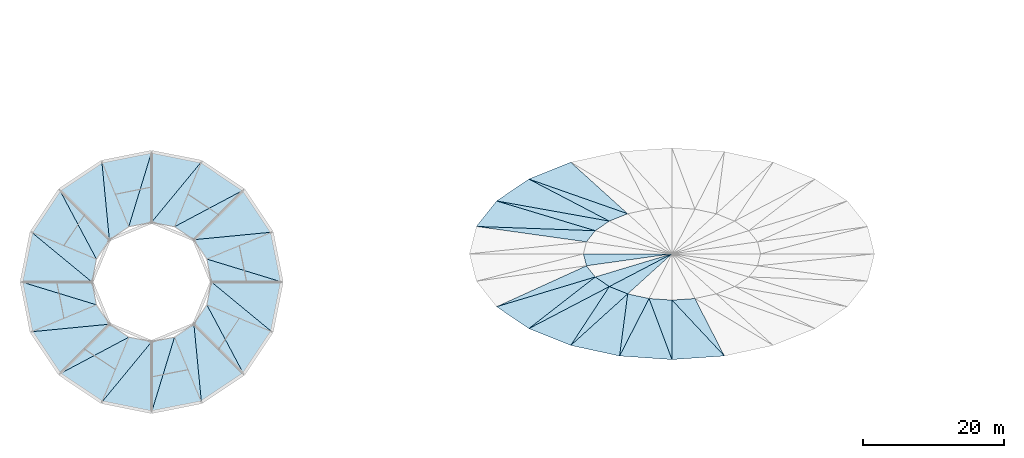
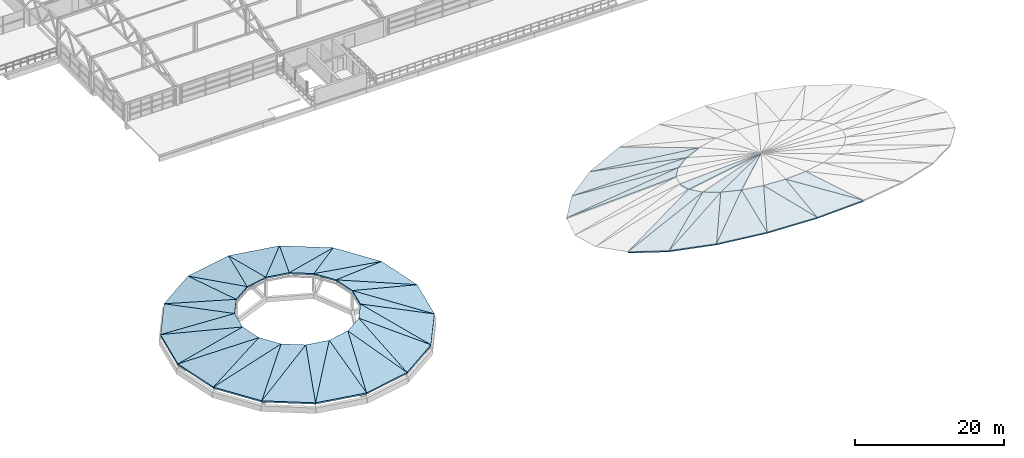
# One storey, part 43 of 50: 52 roofs.
"""IFC4 building model written with IfcOpenShell, lengths in metres."""

from ifc_helpers import new_model, si_unit, derived_unit, direction, frame, origin, place, context, subcontext, project, spatial, polygons, material, layer, layer_set, type_object, element, save


model = new_model("IFC4")

# Units and contexts
model_context = context("Model", 3, precision=1e-05, world=origin(), true_north=direction((0.0, 1.0)))
body_context = subcontext(model_context, "Body", "Model", "MODEL_VIEW")
ifc_project = project(units=[si_unit("LENGTHUNIT", "METRE"), si_unit("AREAUNIT", "SQUARE_METRE"), si_unit("VOLUMEUNIT", "CUBIC_METRE"), si_unit("PLANEANGLEUNIT", "RADIAN"), si_unit("MASSUNIT", "GRAM", prefix="KILO"), si_unit("THERMODYNAMICTEMPERATUREUNIT", "KELVIN"), derived_unit("THERMALTRANSMITTANCEUNIT", [(si_unit("POWERUNIT", "WATT"), 1), (si_unit("AREAUNIT", "SQUARE_METRE"), -1), (si_unit("THERMODYNAMICTEMPERATUREUNIT", "KELVIN"), -1)])], contexts=[model_context])

# Site, building, storey
site_placement = place(None, origin())
site = spatial("IfcSite", under=ifc_project, at=site_placement, CompositionType="ELEMENT")
building_placement = place(site_placement, origin())
building = spatial("IfcBuilding", under=site, at=building_placement, Name="Haiyu Intermodal Mobility Hub", CompositionType="ELEMENT")
storey_placement = place(building_placement, frame((0.0, 0.0, 25.10009765625)))
storey = spatial("IfcBuildingStorey", under=building, at=storey_placement, Name="L06", CompositionType="ELEMENT", Elevation=25.10009765625)

# Roofs
ifc_material = material(Name="Steel Q355C", Category="steel")
ifc_layer_1 = layer(ifc_material, 0.219970703125)
ifc_layer_set_1 = layer_set([ifc_layer_1], Name="Steel Q355C")
roof_type_1 = type_object("IfcRoofType", Name="ROF-RF01", PredefinedType="FREEFORM", material=ifc_layer_set_1)
roof_1_placement = place(storey_placement, origin())
element("IfcRoof", 1, at=roof_1_placement, inside=storey, type_object=roof_type_1, Name="Saddle Cable-Net Roof Panel 013", PredefinedType="FREEFORM", context=body_context, shape_type="Tessellation", body=[
    polygons([(108.0, 64.0, -0.150146484375), (95.39990234375, 64.0, -0.7890625), (95.8291015625, 62.297119140625, -0.76416015625), (108.0, 64.0, 0.0498046875), (95.39990234375, 64.0, -0.589111328125), (95.8291015625, 62.297119140625, -0.564208984375)], [[[3, 2, 1]], [[4, 5, 6]], [[1, 2, 5, 4]], [[2, 3, 6, 5]], [[3, 1, 4, 6]]], closed=True),
])
roof_2_placement = place(storey_placement, origin())
element("IfcRoof", 2, at=roof_2_placement, inside=storey, type_object=roof_type_1, Name="Saddle Cable-Net Roof Panel 015", PredefinedType="FREEFORM", context=body_context, shape_type="Tessellation", body=[
    polygons([(108.0, 64.0, -0.150146484375), (97.087890625, 60.7099609375, -0.695068359375), (99.090087890625, 59.346923828125, -0.60107421875), (108.0, 64.0, 0.0498046875), (97.087890625, 60.7099609375, -0.4951171875), (99.090087890625, 59.346923828125, -0.401123046875)], [[[3, 2, 1]], [[4, 5, 6]], [[1, 2, 5, 4]], [[2, 3, 6, 5]], [[3, 1, 4, 6]]], closed=True),
])
roof_3_placement = place(storey_placement, origin())
element("IfcRoof", 3, at=roof_3_placement, inside=storey, type_object=roof_type_1, Name="Saddle Cable-Net Roof Panel 016", PredefinedType="FREEFORM", context=body_context, shape_type="Tessellation", body=[
    polygons([(108.0, 64.0, -0.150146484375), (99.090087890625, 59.346923828125, -0.60107421875), (101.699951171875, 58.302001953125, -0.507080078125), (108.0, 64.0, 0.0498046875), (99.090087890625, 59.346923828125, -0.401123046875), (101.699951171875, 58.302001953125, -0.30712890625)], [[[3, 2, 1]], [[4, 5, 6]], [[1, 2, 5, 4]], [[2, 3, 6, 5]], [[3, 1, 4, 6]]], closed=True),
])
roof_4_placement = place(storey_placement, origin())
element("IfcRoof", 4, at=roof_4_placement, inside=storey, type_object=roof_type_1, Name="Saddle Cable-Net Roof Panel 041", PredefinedType="FREEFORM", context=body_context, shape_type="Tessellation", body=[
    polygons([(101.699951171875, 69.697998046875, -0.507080078125), (93.60009765625, 77.02490234375, -2.01416015625), (87.635009765625, 74.635009765625, -2.505126953125), (101.699951171875, 69.697998046875, -0.30712890625), (93.60009765625, 77.02490234375, -1.814208984375), (87.635009765625, 74.635009765625, -2.30517578125)], [[[3, 2, 1]], [[4, 5, 6]], [[1, 2, 5, 4]], [[2, 3, 6, 5]], [[3, 1, 4, 6]]], closed=True),
])
roof_5_placement = place(storey_placement, origin())
element("IfcRoof", 5, at=roof_5_placement, inside=storey, type_object=roof_type_1, Name="Saddle Cable-Net Roof Panel 042", PredefinedType="FREEFORM", context=body_context, shape_type="Tessellation", body=[
    polygons([(101.699951171875, 69.697998046875, -0.507080078125), (87.635009765625, 74.635009765625, -2.505126953125), (99.090087890625, 68.653076171875, -0.60107421875), (101.699951171875, 69.697998046875, -0.30712890625), (87.635009765625, 74.635009765625, -2.30517578125), (99.090087890625, 68.653076171875, -0.401123046875)], [[[3, 2, 1]], [[4, 5, 6]], [[1, 2, 5, 4]], [[2, 3, 6, 5]], [[3, 1, 4, 6]]], closed=True),
])
roof_6_placement = place(storey_placement, origin())
element("IfcRoof", 6, at=roof_6_placement, inside=storey, type_object=roof_type_1, Name="Saddle Cable-Net Roof Panel 043", PredefinedType="FREEFORM", context=body_context, shape_type="Tessellation", body=[
    polygons([(99.090087890625, 68.653076171875, -0.60107421875), (87.635009765625, 74.635009765625, -2.505126953125), (83.05810546875, 71.52001953125, -2.9970703125), (99.090087890625, 68.653076171875, -0.401123046875), (87.635009765625, 74.635009765625, -2.30517578125), (83.05810546875, 71.52001953125, -2.797119140625)], [[[3, 2, 1]], [[4, 5, 6]], [[1, 2, 5, 4]], [[2, 3, 6, 5]], [[3, 1, 4, 6]]], closed=True),
])
roof_7_placement = place(storey_placement, origin())
element("IfcRoof", 7, at=roof_7_placement, inside=storey, type_object=roof_type_1, Name="Saddle Cable-Net Roof Panel 044", PredefinedType="FREEFORM", context=body_context, shape_type="Tessellation", body=[
    polygons([(99.090087890625, 68.653076171875, -0.60107421875), (83.05810546875, 71.52001953125, -2.9970703125), (97.087890625, 67.2900390625, -0.695068359375), (99.090087890625, 68.653076171875, -0.401123046875), (83.05810546875, 71.52001953125, -2.797119140625), (97.087890625, 67.2900390625, -0.4951171875)], [[[3, 2, 1]], [[4, 5, 6]], [[1, 2, 5, 4]], [[2, 3, 6, 5]], [[3, 1, 4, 6]]], closed=True),
])
roof_8_placement = place(storey_placement, origin())
element("IfcRoof", 8, at=roof_8_placement, inside=storey, type_object=roof_type_1, Name="Saddle Cable-Net Roof Panel 045", PredefinedType="FREEFORM", context=body_context, shape_type="Tessellation", body=[
    polygons([(97.087890625, 67.2900390625, -0.695068359375), (83.05810546875, 71.52001953125, -2.9970703125), (80.180908203125, 67.89306640625, -3.357177734375), (97.087890625, 67.2900390625, -0.4951171875), (83.05810546875, 71.52001953125, -2.797119140625), (80.180908203125, 67.89306640625, -3.156982421875)], [[[3, 2, 1]], [[4, 5, 6]], [[1, 2, 5, 4]], [[2, 3, 6, 5]], [[3, 1, 4, 6]]], closed=True),
])
roof_9_placement = place(storey_placement, origin())
element("IfcRoof", 9, at=roof_9_placement, inside=storey, type_object=roof_type_1, Name="Saddle Cable-Net Roof Panel 046", PredefinedType="FREEFORM", context=body_context, shape_type="Tessellation", body=[
    polygons([(97.087890625, 67.2900390625, -0.695068359375), (80.180908203125, 67.89306640625, -3.357177734375), (95.8291015625, 65.702880859375, -0.76416015625), (97.087890625, 67.2900390625, -0.4951171875), (80.180908203125, 67.89306640625, -3.156982421875), (95.8291015625, 65.702880859375, -0.564208984375)], [[[3, 2, 1]], [[4, 5, 6]], [[1, 2, 5, 4]], [[2, 3, 6, 5]], [[3, 1, 4, 6]]], closed=True),
])
roof_10_placement = place(storey_placement, origin())
element("IfcRoof", 10, at=roof_10_placement, inside=storey, type_object=roof_type_1, Name="Saddle Cable-Net Roof Panel 052", PredefinedType="FREEFORM", context=body_context, shape_type="Tessellation", body=[
    polygons([(95.8291015625, 62.297119140625, -0.76416015625), (83.05810546875, 56.47998046875, -2.9970703125), (97.087890625, 60.7099609375, -0.695068359375), (95.8291015625, 62.297119140625, -0.564208984375), (83.05810546875, 56.47998046875, -2.797119140625), (97.087890625, 60.7099609375, -0.4951171875)], [[[3, 2, 1]], [[4, 5, 6]], [[1, 2, 5, 4]], [[2, 3, 6, 5]], [[3, 1, 4, 6]]], closed=True),
])
roof_11_placement = place(storey_placement, origin())
element("IfcRoof", 11, at=roof_11_placement, inside=storey, type_object=roof_type_1, Name="Saddle Cable-Net Roof Panel 053", PredefinedType="FREEFORM", context=body_context, shape_type="Tessellation", body=[
    polygons([(97.087890625, 60.7099609375, -0.695068359375), (83.05810546875, 56.47998046875, -2.9970703125), (87.635009765625, 53.364990234375, -2.505126953125), (97.087890625, 60.7099609375, -0.4951171875), (83.05810546875, 56.47998046875, -2.797119140625), (87.635009765625, 53.364990234375, -2.30517578125)], [[[3, 2, 1]], [[4, 5, 6]], [[1, 2, 5, 4]], [[2, 3, 6, 5]], [[3, 1, 4, 6]]], closed=True),
])
roof_12_placement = place(storey_placement, origin())
element("IfcRoof", 12, at=roof_12_placement, inside=storey, type_object=roof_type_1, Name="Saddle Cable-Net Roof Panel 054", PredefinedType="FREEFORM", context=body_context, shape_type="Tessellation", body=[
    polygons([(97.087890625, 60.7099609375, -0.695068359375), (87.635009765625, 53.364990234375, -2.505126953125), (99.090087890625, 59.346923828125, -0.60107421875), (97.087890625, 60.7099609375, -0.4951171875), (87.635009765625, 53.364990234375, -2.30517578125), (99.090087890625, 59.346923828125, -0.401123046875)], [[[3, 2, 1]], [[4, 5, 6]], [[1, 2, 5, 4]], [[2, 3, 6, 5]], [[3, 1, 4, 6]]], closed=True),
])
roof_13_placement = place(storey_placement, origin())
element("IfcRoof", 13, at=roof_13_placement, inside=storey, type_object=roof_type_1, Name="Saddle Cable-Net Roof Panel 055", PredefinedType="FREEFORM", context=body_context, shape_type="Tessellation", body=[
    polygons([(99.090087890625, 59.346923828125, -0.60107421875), (87.635009765625, 53.364990234375, -2.505126953125), (93.60009765625, 50.97509765625, -2.01416015625), (99.090087890625, 59.346923828125, -0.401123046875), (87.635009765625, 53.364990234375, -2.30517578125), (93.60009765625, 50.97509765625, -1.814208984375)], [[[3, 2, 1]], [[4, 5, 6]], [[1, 2, 5, 4]], [[2, 3, 6, 5]], [[3, 1, 4, 6]]], closed=True),
])
roof_14_placement = place(storey_placement, origin())
element("IfcRoof", 14, at=roof_14_placement, inside=storey, type_object=roof_type_1, Name="Saddle Cable-Net Roof Panel 056", PredefinedType="FREEFORM", context=body_context, shape_type="Tessellation", body=[
    polygons([(99.090087890625, 59.346923828125, -0.60107421875), (93.60009765625, 50.97509765625, -2.01416015625), (101.699951171875, 58.302001953125, -0.507080078125), (99.090087890625, 59.346923828125, -0.401123046875), (93.60009765625, 50.97509765625, -1.814208984375), (101.699951171875, 58.302001953125, -0.30712890625)], [[[3, 2, 1]], [[4, 5, 6]], [[1, 2, 5, 4]], [[2, 3, 6, 5]], [[3, 1, 4, 6]]], closed=True),
])
roof_15_placement = place(storey_placement, origin())
element("IfcRoof", 15, at=roof_15_placement, inside=storey, type_object=roof_type_1, Name="Saddle Cable-Net Roof Panel 057", PredefinedType="FREEFORM", context=body_context, shape_type="Tessellation", body=[
    polygons([(101.699951171875, 58.302001953125, -0.507080078125), (93.60009765625, 50.97509765625, -2.01416015625), (100.5458984375, 49.471923828125, -1.654052734375), (101.699951171875, 58.302001953125, -0.30712890625), (93.60009765625, 50.97509765625, -1.814208984375), (100.5458984375, 49.471923828125, -1.4541015625)], [[[3, 2, 1]], [[4, 5, 6]], [[1, 2, 5, 4]], [[2, 3, 6, 5]], [[3, 1, 4, 6]]], closed=True),
])
roof_16_placement = place(storey_placement, origin())
element("IfcRoof", 16, at=roof_16_placement, inside=storey, type_object=roof_type_1, Name="Saddle Cable-Net Roof Panel 058", PredefinedType="FREEFORM", context=body_context, shape_type="Tessellation", body=[
    polygons([(101.699951171875, 58.302001953125, -0.507080078125), (100.5458984375, 49.471923828125, -1.654052734375), (104.739013671875, 57.64404296875, -0.43798828125), (101.699951171875, 58.302001953125, -0.30712890625), (100.5458984375, 49.471923828125, -1.4541015625), (104.739013671875, 57.64404296875, -0.238037109375)], [[[3, 2, 1]], [[4, 5, 6]], [[1, 2, 5, 4]], [[2, 3, 6, 5]], [[3, 1, 4, 6]]], closed=True),
])
roof_17_placement = place(storey_placement, origin())
element("IfcRoof", 17, at=roof_17_placement, inside=storey, type_object=roof_type_1, Name="Saddle Cable-Net Roof Panel 059", PredefinedType="FREEFORM", context=body_context, shape_type="Tessellation", body=[
    polygons([(104.739013671875, 57.64404296875, -0.43798828125), (100.5458984375, 49.471923828125, -1.654052734375), (108.0, 48.9599609375, -1.522216796875), (104.739013671875, 57.64404296875, -0.238037109375), (100.5458984375, 49.471923828125, -1.4541015625), (108.0, 48.9599609375, -1.322021484375)], [[[3, 2, 1]], [[4, 5, 6]], [[1, 2, 5, 4]], [[2, 3, 6, 5]], [[3, 1, 4, 6]]], closed=True),
])
roof_18_placement = place(storey_placement, origin())
element("IfcRoof", 18, at=roof_18_placement, inside=storey, type_object=roof_type_1, Name="Saddle Cable-Net Roof Panel 060", PredefinedType="FREEFORM", context=body_context, shape_type="Tessellation", body=[
    polygons([(104.739013671875, 57.64404296875, -0.43798828125), (108.0, 48.9599609375, -1.522216796875), (108.0, 57.419921875, -0.4130859375), (104.739013671875, 57.64404296875, -0.238037109375), (108.0, 48.9599609375, -1.322021484375), (108.0, 57.419921875, -0.213134765625)], [[[3, 2, 1]], [[4, 5, 6]], [[1, 2, 5, 4]], [[2, 3, 6, 5]], [[3, 1, 4, 6]]], closed=True),
])
roof_19_placement = place(storey_placement, origin())
element("IfcRoof", 19, at=roof_19_placement, inside=storey, type_object=roof_type_1, Name="Saddle Cable-Net Roof Panel 061", PredefinedType="FREEFORM", context=body_context, shape_type="Tessellation", body=[
    polygons([(108.0, 57.419921875, -0.4130859375), (108.0, 48.9599609375, -1.522216796875), (115.4541015625, 49.471923828125, -1.654052734375), (108.0, 57.419921875, -0.213134765625), (108.0, 48.9599609375, -1.322021484375), (115.4541015625, 49.471923828125, -1.4541015625)], [[[3, 2, 1]], [[4, 5, 6]], [[1, 2, 5, 4]], [[2, 3, 6, 5]], [[3, 1, 4, 6]]], closed=True),
])
roof_20_placement = place(storey_placement, origin())
element("IfcRoof", 20, at=roof_20_placement, inside=storey, type_object=roof_type_1, Name="Saddle Cable-Net Roof Panel 062", PredefinedType="FREEFORM", context=body_context, shape_type="Tessellation", body=[
    polygons([(108.0, 57.419921875, -0.4130859375), (115.4541015625, 49.471923828125, -1.654052734375), (111.260986328125, 57.64404296875, -0.43798828125), (108.0, 57.419921875, -0.213134765625), (115.4541015625, 49.471923828125, -1.4541015625), (111.260986328125, 57.64404296875, -0.238037109375)], [[[3, 2, 1]], [[4, 5, 6]], [[1, 2, 5, 4]], [[2, 3, 6, 5]], [[3, 1, 4, 6]]], closed=True),
])
ifc_layer_2 = layer(ifc_material, 0.239990234375)
ifc_layer_set_2 = layer_set([ifc_layer_2], Name="Steel Q355C")
roof_type_2 = type_object("IfcRoofType", Name="ROF-RF02", PredefinedType="PAVILION_ROOF", material=ifc_layer_set_2)
roof_21_placement = place(storey_placement, origin())
element("IfcRoof", 21, at=roof_21_placement, inside=storey, type_object=roof_type_2, Name="Ramp Drum Conical Roof 01-1", PredefinedType="PAVILION_ROOF", context=body_context, shape_type="Tessellation", body=[
    polygons([(52.5, 60.0, 0.184814453125), (51.092041015625, 67.080078125, 0.184814453125), (41.85302734375, 63.2529296875, 2.724853515625), (52.5, 60.0, 0.4248046875), (51.092041015625, 67.080078125, 0.4248046875), (41.85302734375, 63.2529296875, 2.96484375)], [[[3, 2, 1]], [[4, 5, 6]], [[1, 2, 5, 4]], [[2, 3, 6, 5]], [[3, 1, 4, 6]]], closed=True),
])
roof_22_placement = place(storey_placement, origin())
element("IfcRoof", 22, at=roof_22_placement, inside=storey, type_object=roof_type_2, Name="Ramp Drum Conical Roof 01-2", PredefinedType="PAVILION_ROOF", context=body_context, shape_type="Tessellation", body=[
    polygons([(52.5, 60.0, 0.184814453125), (41.85302734375, 63.2529296875, 2.724853515625), (42.5, 60.0, 2.724853515625), (52.5, 60.0, 0.4248046875), (41.85302734375, 63.2529296875, 2.96484375), (42.5, 60.0, 2.96484375)], [[[3, 2, 1]], [[4, 5, 6]], [[1, 2, 5, 4]], [[2, 3, 6, 5]], [[3, 1, 4, 6]]], closed=True),
])
roof_23_placement = place(storey_placement, origin())
element("IfcRoof", 23, at=roof_23_placement, inside=storey, type_object=roof_type_2, Name="Ramp Drum Conical Roof 02-1", PredefinedType="PAVILION_ROOF", context=body_context, shape_type="Tessellation", body=[
    polygons([(51.092041015625, 67.080078125, 0.184814453125), (47.0810546875, 73.0810546875, 0.184814453125), (40.010009765625, 66.010009765625, 2.724853515625), (51.092041015625, 67.080078125, 0.4248046875), (47.0810546875, 73.0810546875, 0.4248046875), (40.010009765625, 66.010009765625, 2.96484375)], [[[3, 2, 1]], [[4, 5, 6]], [[1, 2, 5, 4]], [[2, 3, 6, 5]], [[3, 1, 4, 6]]], closed=True),
])
roof_24_placement = place(storey_placement, origin())
element("IfcRoof", 24, at=roof_24_placement, inside=storey, type_object=roof_type_2, Name="Ramp Drum Conical Roof 02-2", PredefinedType="PAVILION_ROOF", context=body_context, shape_type="Tessellation", body=[
    polygons([(51.092041015625, 67.080078125, 0.184814453125), (40.010009765625, 66.010009765625, 2.724853515625), (41.85302734375, 63.2529296875, 2.724853515625), (51.092041015625, 67.080078125, 0.4248046875), (40.010009765625, 66.010009765625, 2.96484375), (41.85302734375, 63.2529296875, 2.96484375)], [[[3, 2, 1]], [[4, 5, 6]], [[1, 2, 5, 4]], [[2, 3, 6, 5]], [[3, 1, 4, 6]]], closed=True),
])
roof_25_placement = place(storey_placement, origin())
element("IfcRoof", 25, at=roof_25_placement, inside=storey, type_object=roof_type_2, Name="Ramp Drum Conical Roof 03-1", PredefinedType="PAVILION_ROOF", context=body_context, shape_type="Tessellation", body=[
    polygons([(47.0810546875, 73.0810546875, 0.184814453125), (41.080078125, 77.092041015625, 0.184814453125), (37.2529296875, 67.85302734375, 2.724853515625), (47.0810546875, 73.0810546875, 0.4248046875), (41.080078125, 77.092041015625, 0.4248046875), (37.2529296875, 67.85302734375, 2.96484375)], [[[3, 2, 1]], [[4, 5, 6]], [[1, 2, 5, 4]], [[2, 3, 6, 5]], [[3, 1, 4, 6]]], closed=True),
])
roof_26_placement = place(storey_placement, origin())
element("IfcRoof", 26, at=roof_26_placement, inside=storey, type_object=roof_type_2, Name="Ramp Drum Conical Roof 03-2", PredefinedType="PAVILION_ROOF", context=body_context, shape_type="Tessellation", body=[
    polygons([(47.0810546875, 73.0810546875, 0.184814453125), (37.2529296875, 67.85302734375, 2.724853515625), (40.010009765625, 66.010009765625, 2.724853515625), (47.0810546875, 73.0810546875, 0.4248046875), (37.2529296875, 67.85302734375, 2.96484375), (40.010009765625, 66.010009765625, 2.96484375)], [[[3, 2, 1]], [[4, 5, 6]], [[1, 2, 5, 4]], [[2, 3, 6, 5]], [[3, 1, 4, 6]]], closed=True),
])
roof_27_placement = place(storey_placement, origin())
element("IfcRoof", 27, at=roof_27_placement, inside=storey, type_object=roof_type_2, Name="Ramp Drum Conical Roof 04-1", PredefinedType="PAVILION_ROOF", context=body_context, shape_type="Tessellation", body=[
    polygons([(41.080078125, 77.092041015625, 0.184814453125), (34.0, 78.5, 0.184814453125), (34.0, 68.5, 2.724853515625), (41.080078125, 77.092041015625, 0.4248046875), (34.0, 78.5, 0.4248046875), (34.0, 68.5, 2.96484375)], [[[3, 2, 1]], [[4, 5, 6]], [[1, 2, 5, 4]], [[2, 3, 6, 5]], [[3, 1, 4, 6]]], closed=True),
])
roof_28_placement = place(storey_placement, origin())
element("IfcRoof", 28, at=roof_28_placement, inside=storey, type_object=roof_type_2, Name="Ramp Drum Conical Roof 04-2", PredefinedType="PAVILION_ROOF", context=body_context, shape_type="Tessellation", body=[
    polygons([(41.080078125, 77.092041015625, 0.184814453125), (34.0, 68.5, 2.724853515625), (37.2529296875, 67.85302734375, 2.724853515625), (41.080078125, 77.092041015625, 0.4248046875), (34.0, 68.5, 2.96484375), (37.2529296875, 67.85302734375, 2.96484375)], [[[3, 2, 1]], [[4, 5, 6]], [[1, 2, 5, 4]], [[2, 3, 6, 5]], [[3, 1, 4, 6]]], closed=True),
])
roof_29_placement = place(storey_placement, origin())
element("IfcRoof", 29, at=roof_29_placement, inside=storey, type_object=roof_type_2, Name="Ramp Drum Conical Roof 05-1", PredefinedType="PAVILION_ROOF", context=body_context, shape_type="Tessellation", body=[
    polygons([(34.0, 78.5, 0.184814453125), (26.919921875, 77.092041015625, 0.184814453125), (30.7470703125, 67.85302734375, 2.724853515625), (34.0, 78.5, 0.4248046875), (26.919921875, 77.092041015625, 0.4248046875), (30.7470703125, 67.85302734375, 2.96484375)], [[[3, 2, 1]], [[4, 5, 6]], [[1, 2, 5, 4]], [[2, 3, 6, 5]], [[3, 1, 4, 6]]], closed=True),
])
roof_30_placement = place(storey_placement, origin())
element("IfcRoof", 30, at=roof_30_placement, inside=storey, type_object=roof_type_2, Name="Ramp Drum Conical Roof 05-2", PredefinedType="PAVILION_ROOF", context=body_context, shape_type="Tessellation", body=[
    polygons([(34.0, 78.5, 0.184814453125), (30.7470703125, 67.85302734375, 2.724853515625), (34.0, 68.5, 2.724853515625), (34.0, 78.5, 0.4248046875), (30.7470703125, 67.85302734375, 2.96484375), (34.0, 68.5, 2.96484375)], [[[3, 2, 1]], [[4, 5, 6]], [[1, 2, 5, 4]], [[2, 3, 6, 5]], [[3, 1, 4, 6]]], closed=True),
])
roof_31_placement = place(storey_placement, origin())
element("IfcRoof", 31, at=roof_31_placement, inside=storey, type_object=roof_type_2, Name="Ramp Drum Conical Roof 06-1", PredefinedType="PAVILION_ROOF", context=body_context, shape_type="Tessellation", body=[
    polygons([(26.919921875, 77.092041015625, 0.184814453125), (20.9189453125, 73.0810546875, 0.184814453125), (27.989990234375, 66.010009765625, 2.724853515625), (26.919921875, 77.092041015625, 0.4248046875), (20.9189453125, 73.0810546875, 0.4248046875), (27.989990234375, 66.010009765625, 2.96484375)], [[[3, 2, 1]], [[4, 5, 6]], [[1, 2, 5, 4]], [[2, 3, 6, 5]], [[3, 1, 4, 6]]], closed=True),
])
roof_32_placement = place(storey_placement, origin())
element("IfcRoof", 32, at=roof_32_placement, inside=storey, type_object=roof_type_2, Name="Ramp Drum Conical Roof 06-2", PredefinedType="PAVILION_ROOF", context=body_context, shape_type="Tessellation", body=[
    polygons([(26.919921875, 77.092041015625, 0.184814453125), (27.989990234375, 66.010009765625, 2.724853515625), (30.7470703125, 67.85302734375, 2.724853515625), (26.919921875, 77.092041015625, 0.4248046875), (27.989990234375, 66.010009765625, 2.96484375), (30.7470703125, 67.85302734375, 2.96484375)], [[[3, 2, 1]], [[4, 5, 6]], [[1, 2, 5, 4]], [[2, 3, 6, 5]], [[3, 1, 4, 6]]], closed=True),
])
roof_33_placement = place(storey_placement, origin())
element("IfcRoof", 33, at=roof_33_placement, inside=storey, type_object=roof_type_2, Name="Ramp Drum Conical Roof 07-1", PredefinedType="PAVILION_ROOF", context=body_context, shape_type="Tessellation", body=[
    polygons([(20.9189453125, 73.0810546875, 0.184814453125), (16.907958984375, 67.080078125, 0.184814453125), (26.14697265625, 63.2529296875, 2.724853515625), (20.9189453125, 73.0810546875, 0.4248046875), (16.907958984375, 67.080078125, 0.4248046875), (26.14697265625, 63.2529296875, 2.96484375)], [[[3, 2, 1]], [[4, 5, 6]], [[1, 2, 5, 4]], [[2, 3, 6, 5]], [[3, 1, 4, 6]]], closed=True),
])
roof_34_placement = place(storey_placement, origin())
element("IfcRoof", 34, at=roof_34_placement, inside=storey, type_object=roof_type_2, Name="Ramp Drum Conical Roof 07-2", PredefinedType="PAVILION_ROOF", context=body_context, shape_type="Tessellation", body=[
    polygons([(20.9189453125, 73.0810546875, 0.184814453125), (26.14697265625, 63.2529296875, 2.724853515625), (27.989990234375, 66.010009765625, 2.724853515625), (20.9189453125, 73.0810546875, 0.4248046875), (26.14697265625, 63.2529296875, 2.96484375), (27.989990234375, 66.010009765625, 2.96484375)], [[[3, 2, 1]], [[4, 5, 6]], [[1, 2, 5, 4]], [[2, 3, 6, 5]], [[3, 1, 4, 6]]], closed=True),
])
roof_35_placement = place(storey_placement, origin())
element("IfcRoof", 35, at=roof_35_placement, inside=storey, type_object=roof_type_2, Name="Ramp Drum Conical Roof 08-1", PredefinedType="PAVILION_ROOF", context=body_context, shape_type="Tessellation", body=[
    polygons([(16.907958984375, 67.080078125, 0.184814453125), (15.5, 60.0, 0.184814453125), (25.5, 60.0, 2.724853515625), (16.907958984375, 67.080078125, 0.4248046875), (15.5, 60.0, 0.4248046875), (25.5, 60.0, 2.96484375)], [[[3, 2, 1]], [[4, 5, 6]], [[1, 2, 5, 4]], [[2, 3, 6, 5]], [[3, 1, 4, 6]]], closed=True),
])
roof_36_placement = place(storey_placement, origin())
element("IfcRoof", 36, at=roof_36_placement, inside=storey, type_object=roof_type_2, Name="Ramp Drum Conical Roof 08-2", PredefinedType="PAVILION_ROOF", context=body_context, shape_type="Tessellation", body=[
    polygons([(16.907958984375, 67.080078125, 0.184814453125), (25.5, 60.0, 2.724853515625), (26.14697265625, 63.2529296875, 2.724853515625), (16.907958984375, 67.080078125, 0.4248046875), (25.5, 60.0, 2.96484375), (26.14697265625, 63.2529296875, 2.96484375)], [[[3, 2, 1]], [[4, 5, 6]], [[1, 2, 5, 4]], [[2, 3, 6, 5]], [[3, 1, 4, 6]]], closed=True),
])
roof_37_placement = place(storey_placement, origin())
element("IfcRoof", 37, at=roof_37_placement, inside=storey, type_object=roof_type_2, Name="Ramp Drum Conical Roof 09-1", PredefinedType="PAVILION_ROOF", context=body_context, shape_type="Tessellation", body=[
    polygons([(15.5, 60.0, 0.184814453125), (16.907958984375, 52.919921875, 0.184814453125), (26.14697265625, 56.7470703125, 2.724853515625), (15.5, 60.0, 0.4248046875), (16.907958984375, 52.919921875, 0.4248046875), (26.14697265625, 56.7470703125, 2.96484375)], [[[3, 2, 1]], [[4, 5, 6]], [[1, 2, 5, 4]], [[2, 3, 6, 5]], [[3, 1, 4, 6]]], closed=True),
])
roof_38_placement = place(storey_placement, origin())
element("IfcRoof", 38, at=roof_38_placement, inside=storey, type_object=roof_type_2, Name="Ramp Drum Conical Roof 09-2", PredefinedType="PAVILION_ROOF", context=body_context, shape_type="Tessellation", body=[
    polygons([(15.5, 60.0, 0.184814453125), (26.14697265625, 56.7470703125, 2.724853515625), (25.5, 60.0, 2.724853515625), (15.5, 60.0, 0.4248046875), (26.14697265625, 56.7470703125, 2.96484375), (25.5, 60.0, 2.96484375)], [[[3, 2, 1]], [[4, 5, 6]], [[1, 2, 5, 4]], [[2, 3, 6, 5]], [[3, 1, 4, 6]]], closed=True),
])
roof_39_placement = place(storey_placement, origin())
element("IfcRoof", 39, at=roof_39_placement, inside=storey, type_object=roof_type_2, Name="Ramp Drum Conical Roof 10-1", PredefinedType="PAVILION_ROOF", context=body_context, shape_type="Tessellation", body=[
    polygons([(16.907958984375, 52.919921875, 0.184814453125), (20.9189453125, 46.9189453125, 0.184814453125), (27.989990234375, 53.989990234375, 2.724853515625), (16.907958984375, 52.919921875, 0.4248046875), (20.9189453125, 46.9189453125, 0.4248046875), (27.989990234375, 53.989990234375, 2.96484375)], [[[3, 2, 1]], [[4, 5, 6]], [[1, 2, 5, 4]], [[2, 3, 6, 5]], [[3, 1, 4, 6]]], closed=True),
])
roof_40_placement = place(storey_placement, origin())
element("IfcRoof", 40, at=roof_40_placement, inside=storey, type_object=roof_type_2, Name="Ramp Drum Conical Roof 10-2", PredefinedType="PAVILION_ROOF", context=body_context, shape_type="Tessellation", body=[
    polygons([(16.907958984375, 52.919921875, 0.184814453125), (27.989990234375, 53.989990234375, 2.724853515625), (26.14697265625, 56.7470703125, 2.724853515625), (16.907958984375, 52.919921875, 0.4248046875), (27.989990234375, 53.989990234375, 2.96484375), (26.14697265625, 56.7470703125, 2.96484375)], [[[3, 2, 1]], [[4, 5, 6]], [[1, 2, 5, 4]], [[2, 3, 6, 5]], [[3, 1, 4, 6]]], closed=True),
])
roof_41_placement = place(storey_placement, origin())
element("IfcRoof", 41, at=roof_41_placement, inside=storey, type_object=roof_type_2, Name="Ramp Drum Conical Roof 11-1", PredefinedType="PAVILION_ROOF", context=body_context, shape_type="Tessellation", body=[
    polygons([(20.9189453125, 46.9189453125, 0.184814453125), (26.919921875, 42.907958984375, 0.184814453125), (30.7470703125, 52.14697265625, 2.724853515625), (20.9189453125, 46.9189453125, 0.4248046875), (26.919921875, 42.907958984375, 0.4248046875), (30.7470703125, 52.14697265625, 2.96484375)], [[[3, 2, 1]], [[4, 5, 6]], [[1, 2, 5, 4]], [[2, 3, 6, 5]], [[3, 1, 4, 6]]], closed=True),
])
roof_42_placement = place(storey_placement, origin())
element("IfcRoof", 42, at=roof_42_placement, inside=storey, type_object=roof_type_2, Name="Ramp Drum Conical Roof 11-2", PredefinedType="PAVILION_ROOF", context=body_context, shape_type="Tessellation", body=[
    polygons([(20.9189453125, 46.9189453125, 0.184814453125), (30.7470703125, 52.14697265625, 2.724853515625), (27.989990234375, 53.989990234375, 2.724853515625), (20.9189453125, 46.9189453125, 0.4248046875), (30.7470703125, 52.14697265625, 2.96484375), (27.989990234375, 53.989990234375, 2.96484375)], [[[3, 2, 1]], [[4, 5, 6]], [[1, 2, 5, 4]], [[2, 3, 6, 5]], [[3, 1, 4, 6]]], closed=True),
])
roof_43_placement = place(storey_placement, origin())
element("IfcRoof", 43, at=roof_43_placement, inside=storey, type_object=roof_type_2, Name="Ramp Drum Conical Roof 12-1", PredefinedType="PAVILION_ROOF", context=body_context, shape_type="Tessellation", body=[
    polygons([(26.919921875, 42.907958984375, 0.184814453125), (34.0, 41.5, 0.184814453125), (34.0, 51.5, 2.724853515625), (26.919921875, 42.907958984375, 0.4248046875), (34.0, 41.5, 0.4248046875), (34.0, 51.5, 2.96484375)], [[[3, 2, 1]], [[4, 5, 6]], [[1, 2, 5, 4]], [[2, 3, 6, 5]], [[3, 1, 4, 6]]], closed=True),
])
roof_44_placement = place(storey_placement, origin())
element("IfcRoof", 44, at=roof_44_placement, inside=storey, type_object=roof_type_2, Name="Ramp Drum Conical Roof 12-2", PredefinedType="PAVILION_ROOF", context=body_context, shape_type="Tessellation", body=[
    polygons([(26.919921875, 42.907958984375, 0.184814453125), (34.0, 51.5, 2.724853515625), (30.7470703125, 52.14697265625, 2.724853515625), (26.919921875, 42.907958984375, 0.4248046875), (34.0, 51.5, 2.96484375), (30.7470703125, 52.14697265625, 2.96484375)], [[[3, 2, 1]], [[4, 5, 6]], [[1, 2, 5, 4]], [[2, 3, 6, 5]], [[3, 1, 4, 6]]], closed=True),
])
roof_45_placement = place(storey_placement, origin())
element("IfcRoof", 45, at=roof_45_placement, inside=storey, type_object=roof_type_2, Name="Ramp Drum Conical Roof 13-1", PredefinedType="PAVILION_ROOF", context=body_context, shape_type="Tessellation", body=[
    polygons([(34.0, 41.5, 0.184814453125), (41.080078125, 42.907958984375, 0.184814453125), (37.2529296875, 52.14697265625, 2.724853515625), (34.0, 41.5, 0.4248046875), (41.080078125, 42.907958984375, 0.4248046875), (37.2529296875, 52.14697265625, 2.96484375)], [[[3, 2, 1]], [[4, 5, 6]], [[1, 2, 5, 4]], [[2, 3, 6, 5]], [[3, 1, 4, 6]]], closed=True),
])
roof_46_placement = place(storey_placement, origin())
element("IfcRoof", 46, at=roof_46_placement, inside=storey, type_object=roof_type_2, Name="Ramp Drum Conical Roof 13-2", PredefinedType="PAVILION_ROOF", context=body_context, shape_type="Tessellation", body=[
    polygons([(34.0, 41.5, 0.184814453125), (37.2529296875, 52.14697265625, 2.724853515625), (34.0, 51.5, 2.724853515625), (34.0, 41.5, 0.4248046875), (37.2529296875, 52.14697265625, 2.96484375), (34.0, 51.5, 2.96484375)], [[[3, 2, 1]], [[4, 5, 6]], [[1, 2, 5, 4]], [[2, 3, 6, 5]], [[3, 1, 4, 6]]], closed=True),
])
roof_47_placement = place(storey_placement, origin())
element("IfcRoof", 47, at=roof_47_placement, inside=storey, type_object=roof_type_2, Name="Ramp Drum Conical Roof 14-1", PredefinedType="PAVILION_ROOF", context=body_context, shape_type="Tessellation", body=[
    polygons([(41.080078125, 42.907958984375, 0.184814453125), (47.0810546875, 46.9189453125, 0.184814453125), (40.010009765625, 53.989990234375, 2.724853515625), (41.080078125, 42.907958984375, 0.4248046875), (47.0810546875, 46.9189453125, 0.4248046875), (40.010009765625, 53.989990234375, 2.96484375)], [[[3, 2, 1]], [[4, 5, 6]], [[1, 2, 5, 4]], [[2, 3, 6, 5]], [[3, 1, 4, 6]]], closed=True),
])
roof_48_placement = place(storey_placement, origin())
element("IfcRoof", 48, at=roof_48_placement, inside=storey, type_object=roof_type_2, Name="Ramp Drum Conical Roof 14-2", PredefinedType="PAVILION_ROOF", context=body_context, shape_type="Tessellation", body=[
    polygons([(41.080078125, 42.907958984375, 0.184814453125), (40.010009765625, 53.989990234375, 2.724853515625), (37.2529296875, 52.14697265625, 2.724853515625), (41.080078125, 42.907958984375, 0.4248046875), (40.010009765625, 53.989990234375, 2.96484375), (37.2529296875, 52.14697265625, 2.96484375)], [[[3, 2, 1]], [[4, 5, 6]], [[1, 2, 5, 4]], [[2, 3, 6, 5]], [[3, 1, 4, 6]]], closed=True),
])
roof_49_placement = place(storey_placement, origin())
element("IfcRoof", 49, at=roof_49_placement, inside=storey, type_object=roof_type_2, Name="Ramp Drum Conical Roof 15-1", PredefinedType="PAVILION_ROOF", context=body_context, shape_type="Tessellation", body=[
    polygons([(47.0810546875, 46.9189453125, 0.184814453125), (51.092041015625, 52.919921875, 0.184814453125), (41.85302734375, 56.7470703125, 2.724853515625), (47.0810546875, 46.9189453125, 0.4248046875), (51.092041015625, 52.919921875, 0.4248046875), (41.85302734375, 56.7470703125, 2.96484375)], [[[3, 2, 1]], [[4, 5, 6]], [[1, 2, 5, 4]], [[2, 3, 6, 5]], [[3, 1, 4, 6]]], closed=True),
])
roof_50_placement = place(storey_placement, origin())
element("IfcRoof", 50, at=roof_50_placement, inside=storey, type_object=roof_type_2, Name="Ramp Drum Conical Roof 15-2", PredefinedType="PAVILION_ROOF", context=body_context, shape_type="Tessellation", body=[
    polygons([(47.0810546875, 46.9189453125, 0.184814453125), (41.85302734375, 56.7470703125, 2.724853515625), (40.010009765625, 53.989990234375, 2.724853515625), (47.0810546875, 46.9189453125, 0.4248046875), (41.85302734375, 56.7470703125, 2.96484375), (40.010009765625, 53.989990234375, 2.96484375)], [[[3, 2, 1]], [[4, 5, 6]], [[1, 2, 5, 4]], [[2, 3, 6, 5]], [[3, 1, 4, 6]]], closed=True),
])
roof_51_placement = place(storey_placement, origin())
element("IfcRoof", 51, at=roof_51_placement, inside=storey, type_object=roof_type_2, Name="Ramp Drum Conical Roof 16-1", PredefinedType="PAVILION_ROOF", context=body_context, shape_type="Tessellation", body=[
    polygons([(51.092041015625, 52.919921875, 0.184814453125), (52.5, 60.0, 0.184814453125), (42.5, 60.0, 2.724853515625), (51.092041015625, 52.919921875, 0.4248046875), (52.5, 60.0, 0.4248046875), (42.5, 60.0, 2.96484375)], [[[3, 2, 1]], [[4, 5, 6]], [[1, 2, 5, 4]], [[2, 3, 6, 5]], [[3, 1, 4, 6]]], closed=True),
])
roof_52_placement = place(storey_placement, origin())
element("IfcRoof", 52, at=roof_52_placement, inside=storey, type_object=roof_type_2, Name="Ramp Drum Conical Roof 16-2", PredefinedType="PAVILION_ROOF", context=body_context, shape_type="Tessellation", body=[
    polygons([(51.092041015625, 52.919921875, 0.184814453125), (42.5, 60.0, 2.724853515625), (41.85302734375, 56.7470703125, 2.724853515625), (51.092041015625, 52.919921875, 0.4248046875), (42.5, 60.0, 2.96484375), (41.85302734375, 56.7470703125, 2.96484375)], [[[3, 2, 1]], [[4, 5, 6]], [[1, 2, 5, 4]], [[2, 3, 6, 5]], [[3, 1, 4, 6]]], closed=True),
])

save(model, "model.ifc")
